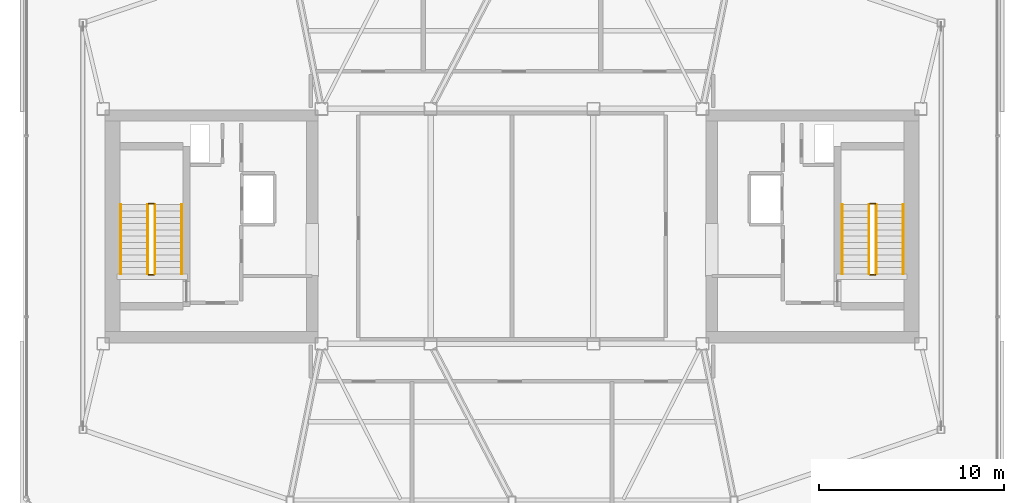
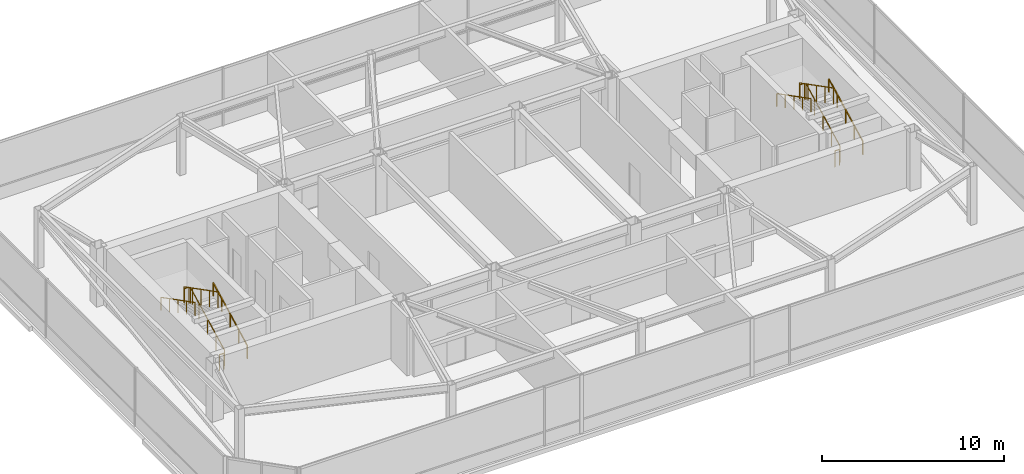
# One storey, part 21 of 21: 12 railings.
"""IFC4 building model written with IfcOpenShell, lengths in metres."""

import ifcopenshell
import ifcopenshell.guid

model = None  # the IFC model being written
_history = None  # IfcOwnerHistory: only IFC2X3 demands one
_inside = {}  # id of a spatial element -> (the spatial element, [elements in it])
_under = {}  # id of a project, library or spatial element -> (it, [spatial elements below it])
_declared = {}  # id of a project -> (the project, [libraries it declares])
_typed = {}  # id of a type object -> (the type object, [elements of that type])
_made_of = {}  # id of a material, layer set ... -> (it, [elements and type objects made of it])


def new_model(schema):
    """Start an empty IFC model of exactly this schema.

    Asked for "IFC4X3", IfcOpenShell would pick the latest addendum, in which some entities
    have other attributes; the version numbers below select the first issue.
    IFC2X3 requires an IfcOwnerHistory on every rooted entity: one is made here for all.
    """
    global model, _history
    if schema == "IFC4X3":
        model = ifcopenshell.file(schema_version=(4, 3, 0, 0))
    else:
        model = ifcopenshell.file(schema=schema)
    _inside.clear()
    _under.clear()
    _declared.clear()
    _typed.clear()
    _made_of.clear()
    _history = None
    if model.schema == "IFC2X3":
        org = make("IfcOrganization", Name="unknown")
        user = make(
            "IfcPersonAndOrganization",
            ThePerson=make("IfcPerson", FamilyName="unknown"),
            TheOrganization=org,
        )
        app = make(
            "IfcApplication",
            ApplicationDeveloper=org,
            Version="unknown",
            ApplicationFullName="unknown",
            ApplicationIdentifier="unknown",
        )
        _history = make(
            "IfcOwnerHistory",
            OwningUser=user,
            OwningApplication=app,
            ChangeAction="ADDED",
            CreationDate=0,
        )
    return model


def make(cls, **values):
    """One entity of the class cls with the attributes given. An attribute that is None is left unset."""
    return model.create_entity(
        cls, **{name: value for name, value in values.items() if value is not None}
    )


def rooted(cls, **values):
    """An entity with a GlobalId (a new one), such as an element, a storey or a relation."""
    return make(cls, GlobalId=ifcopenshell.guid.new(), OwnerHistory=_history, **values)


def si_unit(unit_type, name, prefix=None):
    """IfcSIUnit, for example si_unit("LENGTHUNIT", "METRE", prefix="MILLI")."""
    return make("IfcSIUnit", UnitType=unit_type, Prefix=prefix, Name=name)


def assignment(units):
    """IfcUnitAssignment: the units of a project."""
    return None if units is None else make("IfcUnitAssignment", Units=units)


def point(xyz):
    """IfcCartesianPoint."""
    return None if xyz is None else make("IfcCartesianPoint", Coordinates=xyz)


def direction(xyz):
    """IfcDirection."""
    return None if xyz is None else make("IfcDirection", DirectionRatios=xyz)


def frame(location, z_axis=None, x_axis=None):
    """IfcAxis2Placement3D, a coordinate frame: its origin and axes. An axis left out is left unset."""
    return make(
        "IfcAxis2Placement3D",
        Location=point(location),
        Axis=direction(z_axis),
        RefDirection=direction(x_axis),
    )


def frame_2d(location, x_axis=None):
    """IfcAxis2Placement2D, a coordinate frame in the plane: its origin and x axis."""
    return make(
        "IfcAxis2Placement2D", Location=point(location), RefDirection=direction(x_axis)
    )


def origin():
    """The frame at (0, 0, 0) with its axes left unset."""
    return frame((0.0, 0.0, 0.0))


def origin_2d():
    """The frame at (0, 0) in the plane with its x axis left unset."""
    return frame_2d((0.0, 0.0))


def place(relative_to, where):
    """IfcLocalPlacement: puts the frame where relative to a parent placement (None: the world)."""
    return make(
        "IfcLocalPlacement", PlacementRelTo=relative_to, RelativePlacement=where
    )


def context(
    kind, dimensions, precision=None, world=None, true_north=None, identifier=None
):
    """IfcGeometricRepresentationContext, for example the 3D "Model" context."""
    return make(
        "IfcGeometricRepresentationContext",
        ContextIdentifier=identifier,
        ContextType=kind,
        CoordinateSpaceDimension=dimensions,
        Precision=precision,
        WorldCoordinateSystem=world,
        TrueNorth=true_north,
    )


def subcontext(parent, identifier, kind, view, scale=None):
    """IfcGeometricRepresentationSubContext, for example "Body" below "Model"."""
    return make(
        "IfcGeometricRepresentationSubContext",
        ContextIdentifier=identifier,
        ContextType=kind,
        ParentContext=parent,
        TargetScale=scale,
        TargetView=view,
    )


def project(units=None, contexts=None):
    """IfcProject with its units and contexts."""
    return rooted(
        "IfcProject",
        Name="project",
        RepresentationContexts=contexts,
        UnitsInContext=assignment(units),
    )


def spatial(cls, under=None, at=None, **own):
    """A site, building, storey or space (cls), placed at a placement, below another one or the project."""
    s = rooted(cls, ObjectPlacement=at, **own)
    if under is not None:
        _under.setdefault(under.id(), (under, []))[1].append(s)
    return s


def profile(cls, at=None, kind="AREA", **sizes):
    """A parametric profile (cls). Its sizes go by their IFC names, for example OverallWidth=200.0."""
    return make(cls, ProfileType=kind, Position=at, **sizes)


def rectangle(**sizes):
    """IfcRectangleProfileDef."""
    return profile("IfcRectangleProfileDef", **sizes)


def extrude(swept, where, along, depth):
    """IfcExtrudedAreaSolid: the profile swept, set in the frame where, extruded along a direction by depth."""
    return make(
        "IfcExtrudedAreaSolid",
        SweptArea=swept,
        Position=where,
        ExtrudedDirection=direction(along),
        Depth=depth,
    )


def shape(context_of_items, identifier, shape_type, items):
    """IfcShapeRepresentation: the items that make up one representation, for example the "Body"."""
    return make(
        "IfcShapeRepresentation",
        ContextOfItems=context_of_items,
        RepresentationIdentifier=identifier,
        RepresentationType=shape_type,
        Items=items,
    )


def material(Name=None, Category=None):
    """IfcMaterial."""
    return make("IfcMaterial", Name=Name, Category=Category)


def layer(
    of_material, thickness, ventilated=None, Name=None, Category=None, Priority=None
):
    """IfcMaterialLayer: one layer of a wall or slab, of a material (None: an air gap)."""
    return make(
        "IfcMaterialLayer",
        Material=of_material,
        LayerThickness=thickness,
        IsVentilated=ventilated,
        Name=Name,
        Category=Category,
        Priority=Priority,
    )


def layer_set(layers, Name=None):
    """IfcMaterialLayerSet."""
    return make("IfcMaterialLayerSet", MaterialLayers=layers, LayerSetName=Name)


def made_of(thing, what):
    """Note that an element or type object is made of a material, layer set ...; save() writes the relation."""
    if what is not None:
        _made_of.setdefault(what.id(), (what, []))[1].append(thing)
    return thing


def type_object(cls, material=None, **own):
    """A type object (cls), such as IfcWallType, which elements share."""
    return made_of(rooted(cls, **own), material)


def element(
    cls,
    number,
    at=None,
    inside=None,
    cuts=None,
    type_object=None,
    material=None,
    context=None,
    identifier="Body",
    shape_type=None,
    held_by="IfcProductDefinitionShape",
    body=None,
    shapes=None,
    **own,
):
    """One element of the class cls, such as IfcWall. Its Tag is "e" and its number.

    at: its placement. inside: the storey or other place that contains it. cuts: it is an
    opening in that element (IfcRelVoidsElement). A single representation is given by context,
    identifier, shape_type and body (its items); several are given by shapes. held_by: the class
    of the entity that holds the representations. save() writes the other relations.
    """
    e = rooted(cls, Tag="e%d" % number, ObjectPlacement=at, **own)
    if body is not None:
        shapes = [shape(context, identifier, shape_type, body)]
    if shapes is not None:
        e.Representation = make(held_by, Representations=shapes)
    if inside is not None:
        _inside.setdefault(inside.id(), (inside, []))[1].append(e)
    if cuts is not None:
        rooted(
            "IfcRelVoidsElement", RelatingBuildingElement=cuts, RelatedOpeningElement=e
        )
    if type_object is not None:
        _typed.setdefault(type_object.id(), (type_object, []))[1].append(e)
    return made_of(e, material)


def aggregate(whole, parts):
    """IfcRelAggregates: a whole, such as a stair, and the parts it consists of."""
    return rooted("IfcRelAggregates", RelatingObject=whole, RelatedObjects=parts)


def save(model, path):
    """Write the relations noted so far, then the file.

    IfcRelAggregates (storeys below a building ...), IfcRelContainedInSpatialStructure (elements
    in a storey), IfcRelDefinesByType, IfcRelAssociatesMaterial and IfcRelDeclares: one each for
    every whole, place, type object, material and project.
    """
    for whole, parts in _under.values():
        aggregate(whole, parts)
    for where, things in _inside.values():
        rooted(
            "IfcRelContainedInSpatialStructure",
            RelatedElements=things,
            RelatingStructure=where,
        )
    for kind, things in _typed.values():
        rooted("IfcRelDefinesByType", RelatedObjects=things, RelatingType=kind)
    for what, things in _made_of.values():
        rooted("IfcRelAssociatesMaterial", RelatedObjects=things, RelatingMaterial=what)
    for by, libraries in _declared.values():
        rooted("IfcRelDeclares", RelatingContext=by, RelatedDefinitions=libraries)
    model.write(path)


model = new_model("IFC4")

# Units and contexts
model_context = context("Model", 3, precision=1e-05, world=origin(), true_north=direction((0.0, 1.0)))
body_context = subcontext(model_context, "Body", "Model", "MODEL_VIEW")
ifc_project = project(units=[si_unit("LENGTHUNIT", "METRE"), si_unit("AREAUNIT", "SQUARE_METRE"), si_unit("VOLUMEUNIT", "CUBIC_METRE"), si_unit("PLANEANGLEUNIT", "RADIAN"), si_unit("MASSUNIT", "GRAM", prefix="KILO")], contexts=[model_context])

# Site, building, storey
site_placement = place(None, origin())
site = spatial("IfcSite", under=ifc_project, at=site_placement, CompositionType="ELEMENT")
building_placement = place(site_placement, origin())
building = spatial("IfcBuilding", under=site, at=building_placement, Name="Tavrogorsk Clinical Tower", CompositionType="ELEMENT")
storey_placement = place(building_placement, frame((0.0, 0.0, 348.60009765625)))
storey = spatial("IfcBuildingStorey", under=building, at=storey_placement, Name="L81", CompositionType="ELEMENT", Elevation=348.60009765625)

# Railings
ifc_material_1 = material(Name="Galvanised steel S355 safety stairwell guard", Category="steel")
ifc_layer_1 = layer(ifc_material_1, 0.06005859375)
ifc_layer_set_1 = layer_set([ifc_layer_1], Name="Galvanised steel S355 safety stairwell guard")
railing_type_1 = type_object("IfcRailingType", Name="StairGuard_1150", PredefinedType="GUARDRAIL", material=ifc_layer_set_1)
railing_1_placement = place(storey_placement, frame((-19.300048828125, -2.574951171875, 0.1748046875)))
element("IfcRailing", 1, at=railing_1_placement, inside=storey, type_object=railing_type_1, Name="L81 ST-W stair guard 1", PredefinedType="GUARDRAIL", context=body_context, shape_type="SweptSolid", body=[
    extrude(rectangle(XDim=0.048095703125, YDim=0.048095703125, at=origin_2d()), frame((0.0, 0.0, 1.076171875), z_axis=(0.0, 0.889130600629, 0.457653553493), x_axis=(-1.0, 0.0, 0.0)), (0.0, 0.0, 1.0), 4.206298828125),
    extrude(rectangle(XDim=0.0419921875, YDim=0.0419921875, at=origin_2d()), origin(), (0.0, 0.0, 1.0), 1.052001953125),
    extrude(rectangle(XDim=0.0419921875, YDim=0.0419921875, at=origin_2d()), frame((0.0, 0.93505859375, 0.481201171875)), (0.0, 0.0, 1.0), 1.052001953125),
    extrude(rectangle(XDim=0.0419921875, YDim=0.0419921875, at=origin_2d()), frame((0.0, 1.8701171875, 0.96240234375)), (0.0, 0.0, 1.0), 1.052001953125),
    extrude(rectangle(XDim=0.0419921875, YDim=0.0419921875, at=origin_2d()), frame((0.0, 2.804931640625, 1.44384765625)), (0.0, 0.0, 1.0), 1.052001953125),
    extrude(rectangle(XDim=0.0419921875, YDim=0.0419921875, at=origin_2d()), frame((0.0, 3.739990234375, 1.925048828125)), (0.0, 0.0, 1.0), 1.052001953125),
])
railing_2_placement = place(storey_placement, frame((-19.35009765625, 1.215087890625, 2.099853515625)))
element("IfcRailing", 2, at=railing_2_placement, inside=storey, type_object=railing_type_1, Name="L81 ST-W stair guard 2", PredefinedType="GUARDRAIL", context=body_context, shape_type="SweptSolid", body=[
    extrude(rectangle(XDim=0.048095703125, YDim=0.048095703125, at=origin_2d()), frame((0.0, 0.0, 1.076171875), z_axis=(-1.0, 0.0, 0.0), x_axis=(0.0, -1.0, 0.0)), (0.0, 0.0, 1.0), 0.2998046875),
    extrude(rectangle(XDim=0.0419921875, YDim=0.0419921875, at=origin_2d()), origin(), (0.0, 0.0, 1.0), 1.052001953125),
    extrude(rectangle(XDim=0.0419921875, YDim=0.0419921875, at=origin_2d()), frame((-0.2998046875, 0.0, 0.0)), (0.0, 0.0, 1.0), 1.052001953125),
])
railing_3_placement = place(storey_placement, frame((-19.699951171875, 1.1650390625, 2.27490234375)))
element("IfcRailing", 3, at=railing_3_placement, inside=storey, type_object=railing_type_1, Name="L81 ST-W stair guard 3", PredefinedType="GUARDRAIL", context=body_context, shape_type="SweptSolid", body=[
    extrude(rectangle(XDim=0.048095703125, YDim=0.048095703125, at=origin_2d()), frame((0.0, 0.0, 1.076171875), z_axis=(0.0, -0.889130600629, 0.457653553493), x_axis=(1.0, 0.0, 0.0)), (0.0, 0.0, 1.0), 4.206298828125),
    extrude(rectangle(XDim=0.0419921875, YDim=0.0419921875, at=origin_2d()), origin(), (0.0, 0.0, 1.0), 1.052001953125),
    extrude(rectangle(XDim=0.0419921875, YDim=0.0419921875, at=origin_2d()), frame((0.0, -0.93505859375, 0.481201171875)), (0.0, 0.0, 1.0), 1.052001953125),
    extrude(rectangle(XDim=0.0419921875, YDim=0.0419921875, at=origin_2d()), frame((0.0, -1.8701171875, 0.96240234375)), (0.0, 0.0, 1.0), 1.052001953125),
    extrude(rectangle(XDim=0.0419921875, YDim=0.0419921875, at=origin_2d()), frame((0.0, -2.804931640625, 1.44384765625)), (0.0, 0.0, 1.0), 1.052001953125),
    extrude(rectangle(XDim=0.0419921875, YDim=0.0419921875, at=origin_2d()), frame((0.0, -3.739990234375, 1.925048828125)), (0.0, 0.0, 1.0), 1.052001953125),
])
railing_4_placement = place(storey_placement, frame((-19.35009765625, -2.625, 0.0)))
element("IfcRailing", 4, at=railing_4_placement, inside=storey, type_object=railing_type_1, Name="L81 ST-W stair guard 4", PredefinedType="GUARDRAIL", context=body_context, shape_type="SweptSolid", body=[
    extrude(rectangle(XDim=0.048095703125, YDim=0.048095703125, at=origin_2d()), frame((0.0, 0.0, 1.076171875), z_axis=(-1.0, 0.0, 0.0), x_axis=(0.0, -1.0, 0.0)), (0.0, 0.0, 1.0), 0.2998046875),
    extrude(rectangle(XDim=0.0419921875, YDim=0.0419921875, at=origin_2d()), origin(), (0.0, 0.0, 1.0), 1.052001953125),
    extrude(rectangle(XDim=0.0419921875, YDim=0.0419921875, at=origin_2d()), frame((-0.2998046875, 0.0, 0.0)), (0.0, 0.0, 1.0), 1.052001953125),
])
railing_5_placement = place(storey_placement, frame((19.699951171875, -2.574951171875, 0.1748046875)))
element("IfcRailing", 5, at=railing_5_placement, inside=storey, type_object=railing_type_1, Name="L81 ST-E stair guard 1", PredefinedType="GUARDRAIL", context=body_context, shape_type="SweptSolid", body=[
    extrude(rectangle(XDim=0.048095703125, YDim=0.048095703125, at=origin_2d()), frame((0.0, 0.0, 1.076171875), z_axis=(0.0, 0.889130600629, 0.457653553493), x_axis=(-1.0, 0.0, 0.0)), (0.0, 0.0, 1.0), 4.206298828125),
    extrude(rectangle(XDim=0.0419921875, YDim=0.0419921875, at=origin_2d()), origin(), (0.0, 0.0, 1.0), 1.052001953125),
    extrude(rectangle(XDim=0.0419921875, YDim=0.0419921875, at=origin_2d()), frame((0.0, 0.93505859375, 0.481201171875)), (0.0, 0.0, 1.0), 1.052001953125),
    extrude(rectangle(XDim=0.0419921875, YDim=0.0419921875, at=origin_2d()), frame((0.0, 1.8701171875, 0.96240234375)), (0.0, 0.0, 1.0), 1.052001953125),
    extrude(rectangle(XDim=0.0419921875, YDim=0.0419921875, at=origin_2d()), frame((0.0, 2.804931640625, 1.44384765625)), (0.0, 0.0, 1.0), 1.052001953125),
    extrude(rectangle(XDim=0.0419921875, YDim=0.0419921875, at=origin_2d()), frame((0.0, 3.739990234375, 1.925048828125)), (0.0, 0.0, 1.0), 1.052001953125),
])
railing_6_placement = place(storey_placement, frame((19.64990234375, 1.215087890625, 2.099853515625)))
element("IfcRailing", 6, at=railing_6_placement, inside=storey, type_object=railing_type_1, Name="L81 ST-E stair guard 2", PredefinedType="GUARDRAIL", context=body_context, shape_type="SweptSolid", body=[
    extrude(rectangle(XDim=0.048095703125, YDim=0.048095703125, at=origin_2d()), frame((0.0, 0.0, 1.076171875), z_axis=(-1.0, 0.0, 0.0), x_axis=(0.0, -1.0, 0.0)), (0.0, 0.0, 1.0), 0.2998046875),
    extrude(rectangle(XDim=0.0419921875, YDim=0.0419921875, at=origin_2d()), origin(), (0.0, 0.0, 1.0), 1.052001953125),
    extrude(rectangle(XDim=0.0419921875, YDim=0.0419921875, at=origin_2d()), frame((-0.2998046875, 0.0, 0.0)), (0.0, 0.0, 1.0), 1.052001953125),
])
railing_7_placement = place(storey_placement, frame((19.300048828125, 1.1650390625, 2.27490234375)))
element("IfcRailing", 7, at=railing_7_placement, inside=storey, type_object=railing_type_1, Name="L81 ST-E stair guard 3", PredefinedType="GUARDRAIL", context=body_context, shape_type="SweptSolid", body=[
    extrude(rectangle(XDim=0.048095703125, YDim=0.048095703125, at=origin_2d()), frame((0.0, 0.0, 1.076171875), z_axis=(0.0, -0.889130600629, 0.457653553493), x_axis=(1.0, 0.0, 0.0)), (0.0, 0.0, 1.0), 4.206298828125),
    extrude(rectangle(XDim=0.0419921875, YDim=0.0419921875, at=origin_2d()), origin(), (0.0, 0.0, 1.0), 1.052001953125),
    extrude(rectangle(XDim=0.0419921875, YDim=0.0419921875, at=origin_2d()), frame((0.0, -0.93505859375, 0.481201171875)), (0.0, 0.0, 1.0), 1.052001953125),
    extrude(rectangle(XDim=0.0419921875, YDim=0.0419921875, at=origin_2d()), frame((0.0, -1.8701171875, 0.96240234375)), (0.0, 0.0, 1.0), 1.052001953125),
    extrude(rectangle(XDim=0.0419921875, YDim=0.0419921875, at=origin_2d()), frame((0.0, -2.804931640625, 1.44384765625)), (0.0, 0.0, 1.0), 1.052001953125),
    extrude(rectangle(XDim=0.0419921875, YDim=0.0419921875, at=origin_2d()), frame((0.0, -3.739990234375, 1.925048828125)), (0.0, 0.0, 1.0), 1.052001953125),
])
railing_8_placement = place(storey_placement, frame((19.64990234375, -2.625, 0.0)))
element("IfcRailing", 8, at=railing_8_placement, inside=storey, type_object=railing_type_1, Name="L81 ST-E stair guard 4", PredefinedType="GUARDRAIL", context=body_context, shape_type="SweptSolid", body=[
    extrude(rectangle(XDim=0.048095703125, YDim=0.048095703125, at=origin_2d()), frame((0.0, 0.0, 1.076171875), z_axis=(-1.0, 0.0, 0.0), x_axis=(0.0, -1.0, 0.0)), (0.0, 0.0, 1.0), 0.2998046875),
    extrude(rectangle(XDim=0.0419921875, YDim=0.0419921875, at=origin_2d()), origin(), (0.0, 0.0, 1.0), 1.052001953125),
    extrude(rectangle(XDim=0.0419921875, YDim=0.0419921875, at=origin_2d()), frame((-0.2998046875, 0.0, 0.0)), (0.0, 0.0, 1.0), 1.052001953125),
])
ifc_material_2 = material(Name="Stainless steel AISI 304 tubular handrail", Category="steel")
ifc_layer_2 = layer(ifc_material_2, 0.050048828125)
ifc_layer_set_2 = layer_set([ifc_layer_2], Name="Stainless steel AISI 304 tubular handrail")
railing_type_2 = type_object("IfcRailingType", Name="StairHandrail_920", PredefinedType="HANDRAIL", material=ifc_layer_set_2)
railing_9_placement = place(storey_placement, frame((-17.85009765625, -2.574951171875, 0.1748046875)))
element("IfcRailing", 9, at=railing_9_placement, inside=storey, type_object=railing_type_2, Name="L81 ST-W stair handrail 1", PredefinedType="HANDRAIL", context=body_context, shape_type="SweptSolid", body=[
    extrude(rectangle(XDim=0.048095703125, YDim=0.048095703125, at=origin_2d()), frame((0.0, 0.0, 0.8759765625), z_axis=(0.0, 0.889130600629, 0.457653553493), x_axis=(-1.0, 0.0, 0.0)), (0.0, 0.0, 1.0), 4.206298828125),
    extrude(rectangle(XDim=0.0419921875, YDim=0.0419921875, at=origin_2d()), origin(), (0.0, 0.0, 1.0), 0.851806640625),
    extrude(rectangle(XDim=0.0419921875, YDim=0.0419921875, at=origin_2d()), frame((0.0, 0.93505859375, 0.481201171875)), (0.0, 0.0, 1.0), 0.851806640625),
    extrude(rectangle(XDim=0.0419921875, YDim=0.0419921875, at=origin_2d()), frame((0.0, 1.8701171875, 0.96240234375)), (0.0, 0.0, 1.0), 0.851806640625),
    extrude(rectangle(XDim=0.0419921875, YDim=0.0419921875, at=origin_2d()), frame((0.0, 2.804931640625, 1.44384765625)), (0.0, 0.0, 1.0), 0.851806640625),
    extrude(rectangle(XDim=0.0419921875, YDim=0.0419921875, at=origin_2d()), frame((0.0, 3.739990234375, 1.925048828125)), (0.0, 0.0, 1.0), 0.851806640625),
])
railing_10_placement = place(storey_placement, frame((-21.14990234375, 1.1650390625, 2.27490234375)))
element("IfcRailing", 10, at=railing_10_placement, inside=storey, type_object=railing_type_2, Name="L81 ST-W stair handrail 2", PredefinedType="HANDRAIL", context=body_context, shape_type="SweptSolid", body=[
    extrude(rectangle(XDim=0.048095703125, YDim=0.048095703125, at=origin_2d()), frame((0.0, 0.0, 0.8759765625), z_axis=(0.0, -0.889130600629, 0.457653553493), x_axis=(1.0, 0.0, 0.0)), (0.0, 0.0, 1.0), 4.206298828125),
    extrude(rectangle(XDim=0.0419921875, YDim=0.0419921875, at=origin_2d()), origin(), (0.0, 0.0, 1.0), 0.851806640625),
    extrude(rectangle(XDim=0.0419921875, YDim=0.0419921875, at=origin_2d()), frame((0.0, -0.93505859375, 0.481201171875)), (0.0, 0.0, 1.0), 0.851806640625),
    extrude(rectangle(XDim=0.0419921875, YDim=0.0419921875, at=origin_2d()), frame((0.0, -1.8701171875, 0.96240234375)), (0.0, 0.0, 1.0), 0.851806640625),
    extrude(rectangle(XDim=0.0419921875, YDim=0.0419921875, at=origin_2d()), frame((0.0, -2.804931640625, 1.44384765625)), (0.0, 0.0, 1.0), 0.851806640625),
    extrude(rectangle(XDim=0.0419921875, YDim=0.0419921875, at=origin_2d()), frame((0.0, -3.739990234375, 1.925048828125)), (0.0, 0.0, 1.0), 0.851806640625),
])
railing_11_placement = place(storey_placement, frame((21.14990234375, -2.574951171875, 0.1748046875)))
element("IfcRailing", 11, at=railing_11_placement, inside=storey, type_object=railing_type_2, Name="L81 ST-E stair handrail 1", PredefinedType="HANDRAIL", context=body_context, shape_type="SweptSolid", body=[
    extrude(rectangle(XDim=0.048095703125, YDim=0.048095703125, at=origin_2d()), frame((0.0, 0.0, 0.8759765625), z_axis=(0.0, 0.889130600629, 0.457653553493), x_axis=(-1.0, 0.0, 0.0)), (0.0, 0.0, 1.0), 4.206298828125),
    extrude(rectangle(XDim=0.0419921875, YDim=0.0419921875, at=origin_2d()), origin(), (0.0, 0.0, 1.0), 0.851806640625),
    extrude(rectangle(XDim=0.0419921875, YDim=0.0419921875, at=origin_2d()), frame((0.0, 0.93505859375, 0.481201171875)), (0.0, 0.0, 1.0), 0.851806640625),
    extrude(rectangle(XDim=0.0419921875, YDim=0.0419921875, at=origin_2d()), frame((0.0, 1.8701171875, 0.96240234375)), (0.0, 0.0, 1.0), 0.851806640625),
    extrude(rectangle(XDim=0.0419921875, YDim=0.0419921875, at=origin_2d()), frame((0.0, 2.804931640625, 1.44384765625)), (0.0, 0.0, 1.0), 0.851806640625),
    extrude(rectangle(XDim=0.0419921875, YDim=0.0419921875, at=origin_2d()), frame((0.0, 3.739990234375, 1.925048828125)), (0.0, 0.0, 1.0), 0.851806640625),
])
railing_12_placement = place(storey_placement, frame((17.85009765625, 1.1650390625, 2.27490234375)))
element("IfcRailing", 12, at=railing_12_placement, inside=storey, type_object=railing_type_2, Name="L81 ST-E stair handrail 2", PredefinedType="HANDRAIL", context=body_context, shape_type="SweptSolid", body=[
    extrude(rectangle(XDim=0.048095703125, YDim=0.048095703125, at=origin_2d()), frame((0.0, 0.0, 0.8759765625), z_axis=(0.0, -0.889130600629, 0.457653553493), x_axis=(1.0, 0.0, 0.0)), (0.0, 0.0, 1.0), 4.206298828125),
    extrude(rectangle(XDim=0.0419921875, YDim=0.0419921875, at=origin_2d()), origin(), (0.0, 0.0, 1.0), 0.851806640625),
    extrude(rectangle(XDim=0.0419921875, YDim=0.0419921875, at=origin_2d()), frame((0.0, -0.93505859375, 0.481201171875)), (0.0, 0.0, 1.0), 0.851806640625),
    extrude(rectangle(XDim=0.0419921875, YDim=0.0419921875, at=origin_2d()), frame((0.0, -1.8701171875, 0.96240234375)), (0.0, 0.0, 1.0), 0.851806640625),
    extrude(rectangle(XDim=0.0419921875, YDim=0.0419921875, at=origin_2d()), frame((0.0, -2.804931640625, 1.44384765625)), (0.0, 0.0, 1.0), 0.851806640625),
    extrude(rectangle(XDim=0.0419921875, YDim=0.0419921875, at=origin_2d()), frame((0.0, -3.739990234375, 1.925048828125)), (0.0, 0.0, 1.0), 0.851806640625),
])

save(model, "model.ifc")
